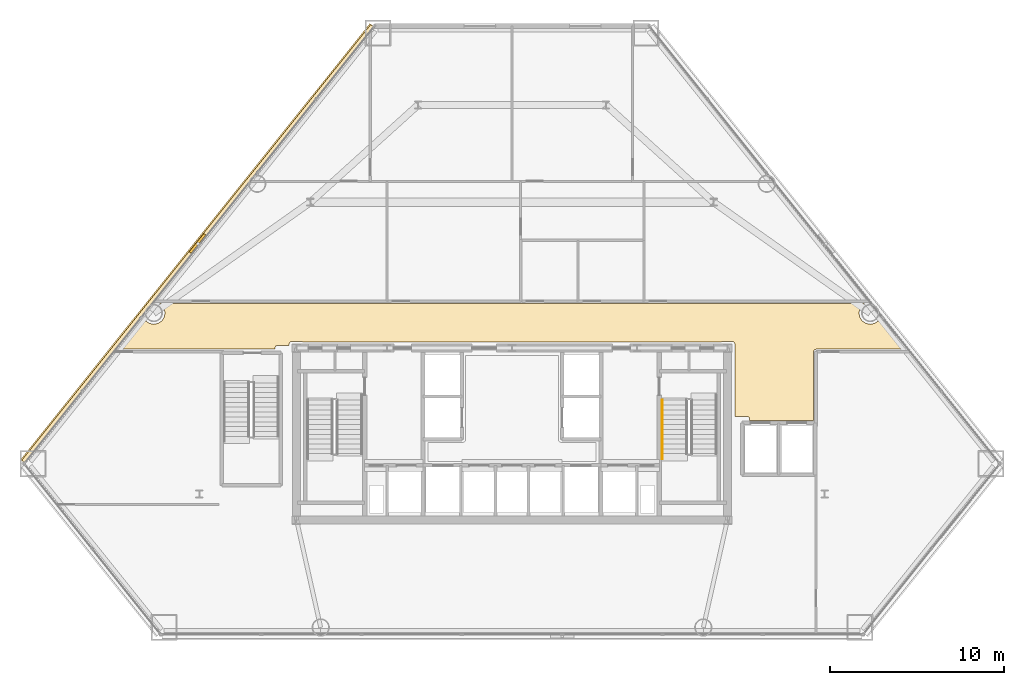
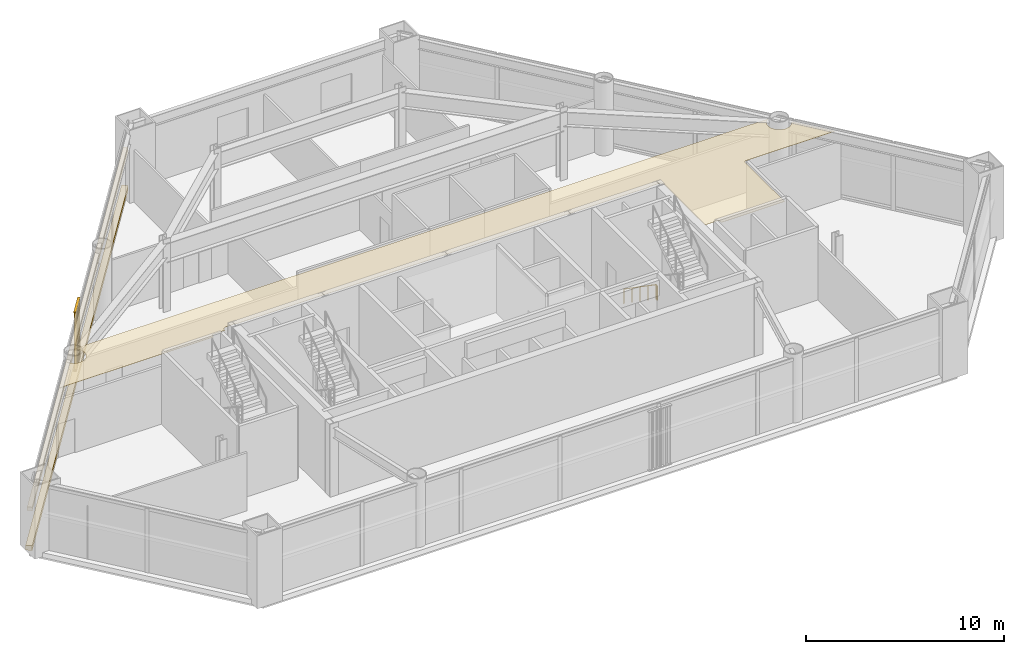
# One storey, part 12 of 13: 3 coverings, 1 railing, 1 shading device.
"""IFC4 building model written with IfcOpenShell, lengths in metres."""

from ifc_helpers import new_model, si_unit, direction, frame, origin, origin_2d, place, context, subcontext, project, spatial, polyline, rectangle, outline, extrude, source, transform, mapped, material, layer, layer_set, type_object, type_shapes, element, save


model = new_model("IFC4")

# Units and contexts
model_context = context("Model", 3, precision=1e-05, world=origin(), true_north=direction((0.0, 1.0)))
body_context = subcontext(model_context, "Body", "Model", "MODEL_VIEW")
ifc_project = project(units=[si_unit("LENGTHUNIT", "METRE"), si_unit("AREAUNIT", "SQUARE_METRE"), si_unit("VOLUMEUNIT", "CUBIC_METRE"), si_unit("PLANEANGLEUNIT", "RADIAN"), si_unit("MASSUNIT", "GRAM", prefix="KILO")], contexts=[model_context])

# Site, building, storey
site_placement = place(None, origin())
site = spatial("IfcSite", under=ifc_project, at=site_placement, CompositionType="ELEMENT")
building_placement = place(site_placement, origin())
building = spatial("IfcBuilding", under=site, at=building_placement, Name="Talgorran Terracotta Tower", CompositionType="ELEMENT")
storey_placement = place(building_placement, frame((0.0, 0.0, 9.89990234375)))
storey = spatial("IfcBuildingStorey", under=building, at=storey_placement, Name="L02", CompositionType="ELEMENT", Elevation=9.89990234375)

# Coverings
ifc_material_1 = material(Name="Kiln-Fired Terracotta Ochre Ceramic", Category="masonry")
ifc_layer_1 = layer(ifc_material_1, 0.179931640625, Name="COV_BAGUETTE_TERRACOTTA_SCREEN")
ifc_layer_set_1 = layer_set([ifc_layer_1], Name="Kiln-Fired Terracotta Ochre Ceramic")
covering_type_1 = type_object("IfcCoveringType", Name="COV_BAGUETTE_TERRACOTTA_SCREEN", PredefinedType="CLADDING", material=ifc_layer_set_1)
covering_1_placement = place(storey_placement, frame((-18.072509765625, 1.802490234375, 2.41015625), z_axis=(0.0, 0.0, 1.0), x_axis=(-0.625120058901, -0.780528610597, 0.0)))
element("IfcCovering", 1, at=covering_1_placement, inside=storey, type_object=covering_type_1, Name="L02 Terracotta Baguette Solar Screen Assembly F5", PredefinedType="CLADDING", context=body_context, shape_type="SweptSolid", body=[
    extrude(rectangle(XDim=32.135498046875, YDim=0.260009765625, at=origin_2d()), origin(), (0.0, 0.0, 1.0), 0.219970703125),
])
ifc_material_2 = material(Name="Mineral Fibre Acoustic Tile")
ifc_layer_2 = layer(ifc_material_2, 0.02490234375, Name="COV_CEIL_ACOUSTIC")
ifc_layer_set_2 = layer_set([ifc_layer_2], Name="Mineral Fibre Acoustic Tile")
covering_type_2 = type_object("IfcCoveringType", Name="COV_CEIL_ACOUSTIC", PredefinedType="CEILING", material=ifc_layer_set_2)
covering_2_placement = place(storey_placement, frame((0.0, 0.0, 4.130126953125)))
element("IfcCovering", 2, at=covering_2_placement, inside=storey, type_object=covering_type_2, Name="CEIL-L02-2", PredefinedType="CEILING", context=body_context, shape_type="SweptSolid", body=[
    extrude(outline(polyline([(-21.211669921875, -2.4453125), (-21.209716796875, -2.4482421875), (-21.094970703125, -2.620361328125), (-21.087890625, -2.629638671875), (-21.080078125, -2.638427734375), (-21.0712890625, -2.646484375), (-21.061767578125, -2.6533203125), (-20.889892578125, -2.768310546875), (-20.879638671875, -2.7744140625), (-20.868896484375, -2.779296875), (-20.85791015625, -2.783203125), (-20.846435546875, -2.7861328125), (-20.643798828125, -2.826416015625), (-20.632080078125, -2.828125), (-20.620361328125, -2.828857421875), (-20.6083984375, -2.828125), (-20.596923828125, -2.826416015625), (-20.39404296875, -2.7861328125), (-20.3828125, -2.783203125), (-20.37158203125, -2.779296875), (-20.36083984375, -2.7744140625), (-20.350830078125, -2.768310546875), (-20.1787109375, -2.6533203125), (-20.16943359375, -2.646484375), (-20.16064453125, -2.638427734375), (-20.152587890625, -2.629638671875), (-20.145751953125, -2.620361328125), (-20.03076171875, -2.4482421875), (-20.02490234375, -2.438232421875), (-20.019775390625, -2.427490234375), (-20.015869140625, -2.41650390625), (-20.012939453125, -2.405029296875), (-19.97265625, -2.2021484375), (-19.970947265625, -2.190673828125), (-19.97021484375, -2.1787109375), (-19.970947265625, -2.1669921875), (-19.97265625, -2.155517578125), (-20.012939453125, -1.95263671875), (-20.015869140625, -1.941162109375), (-20.019775390625, -1.93017578125), (-20.02490234375, -1.91943359375), (-20.03076171875, -1.9091796875), (-20.145751953125, -1.7373046875), (-20.152587890625, -1.727783203125), (-20.16064453125, -1.718994140625), (-20.16943359375, -1.711181640625), (-20.1787109375, -1.7041015625), (-20.282470703125, -1.635009765625), (20.282470703125, -1.635009765625), (20.1787109375, -1.7041015625), (20.16943359375, -1.711181640625), (20.16064453125, -1.718994140625), (20.152587890625, -1.727783203125), (20.145751953125, -1.7373046875), (20.03076171875, -1.9091796875), (20.02490234375, -1.91943359375), (20.019775390625, -1.93017578125), (20.015869140625, -1.941162109375), (20.012939453125, -1.95263671875), (19.97265625, -2.155517578125), (19.970947265625, -2.1669921875), (19.97021484375, -2.1787109375), (19.970947265625, -2.190673828125), (19.97265625, -2.2021484375), (20.012939453125, -2.405029296875), (20.015869140625, -2.41650390625), (20.019775390625, -2.427490234375), (20.02490234375, -2.438232421875), (20.03076171875, -2.4482421875), (20.145751953125, -2.620361328125), (20.152587890625, -2.629638671875), (20.16064453125, -2.638427734375), (20.16943359375, -2.646484375), (20.1787109375, -2.6533203125), (20.350830078125, -2.768310546875), (20.36083984375, -2.7744140625), (20.37158203125, -2.779296875), (20.3828125, -2.783203125), (20.39404296875, -2.7861328125), (20.596923828125, -2.826416015625), (20.6083984375, -2.828125), (20.620361328125, -2.828857421875), (20.632080078125, -2.828125), (20.643798828125, -2.826416015625), (20.846435546875, -2.7861328125), (20.85791015625, -2.783203125), (20.868896484375, -2.779296875), (20.879638671875, -2.7744140625), (20.889892578125, -2.768310546875), (21.061767578125, -2.6533203125), (21.0712890625, -2.646484375), (21.080078125, -2.638427734375), (21.087890625, -2.629638671875), (21.094970703125, -2.620361328125), (21.209716796875, -2.4482421875), (21.2109375, -2.4462890625), (22.6689453125, -4.264892578125), (17.5, -4.264892578125), (17.48828125, -4.265625), (17.476806640625, -4.267333984375), (17.46533203125, -4.27001953125), (17.45703125, -4.272705078125), (17.446044921875, -4.276611328125), (17.435302734375, -4.281494140625), (17.42529296875, -4.28759765625), (17.415771484375, -4.294677734375), (17.406982421875, -4.302490234375), (17.399169921875, -4.311279296875), (17.3935546875, -4.318115234375), (17.386474609375, -4.327392578125), (17.38037109375, -4.337646484375), (17.375244140625, -4.348388671875), (17.371337890625, -4.359375), (17.368408203125, -4.370849609375), (17.36669921875, -4.382568359375), (17.3662109375, -4.394287109375), (17.364990234375, -8.364990234375), (13.684814453125, -8.364990234375), (13.684814453125, -8.2783203125), (13.684326171875, -8.2666015625), (13.6826171875, -8.255126953125), (13.6796875, -8.243896484375), (13.67578125, -8.232666015625), (13.672607421875, -8.224609375), (13.66748046875, -8.214111328125), (13.66162109375, -8.2041015625), (13.65478515625, -8.19482421875), (13.64697265625, -8.186279296875), (13.638427734375, -8.17822265625), (13.629150390625, -8.17138671875), (13.621826171875, -8.16650390625), (13.61181640625, -8.16015625), (13.60107421875, -8.155029296875), (13.58984375, -8.15087890625), (13.578125, -8.14794921875), (13.56640625, -8.146240234375), (13.554443359375, -8.1455078125), (12.8349609375, -8.14501953125), (12.8349609375, -3.97998046875), (12.83447265625, -3.96826171875), (12.832763671875, -3.956787109375), (12.829833984375, -3.9453125), (12.827392578125, -3.93701171875), (12.823486328125, -3.926025390625), (12.818359375, -3.915283203125), (12.8125, -3.9052734375), (12.805419921875, -3.895751953125), (12.797607421875, -3.886962890625), (12.7890625, -3.87939453125), (12.785888671875, -3.872314453125), (12.77978515625, -3.8623046875), (12.772705078125, -3.852783203125), (12.764892578125, -3.843994140625), (12.756103515625, -3.836181640625), (12.74658203125, -3.8291015625), (12.736572265625, -3.8232421875), (12.725830078125, -3.818115234375), (12.71484375, -3.814208984375), (12.703369140625, -3.811279296875), (12.69189453125, -3.8095703125), (12.679931640625, -3.80908203125), (12.1201171875, -3.80908203125), (12.108154296875, -3.8095703125), (12.0966796875, -3.811279296875), (12.085205078125, -3.814208984375), (12.07421875, -3.818115234375), (12.0634765625, -3.8232421875), (12.05322265625, -3.8291015625), (12.0439453125, -3.836181640625), (12.03515625, -3.843994140625), (12.034423828125, -3.844970703125), (7.432861328125, -3.844970703125), (6.968017578125, -3.843017578125), (6.967529296875, -3.843017578125), (0.232666015625, -3.844970703125), (-0.23193359375, -3.843017578125), (-0.232421875, -3.843017578125), (-6.96728515625, -3.844970703125), (-7.431884765625, -3.843017578125), (-7.4326171875, -3.843017578125), (-12.034423828125, -3.844970703125), (-12.03515625, -3.843994140625), (-12.0439453125, -3.836181640625), (-12.05322265625, -3.8291015625), (-12.0634765625, -3.8232421875), (-12.07421875, -3.818115234375), (-12.085205078125, -3.814208984375), (-12.0966796875, -3.811279296875), (-12.108154296875, -3.8095703125), (-12.1201171875, -3.80908203125), (-12.679931640625, -3.80908203125), (-12.69189453125, -3.8095703125), (-12.703369140625, -3.811279296875), (-12.71484375, -3.814208984375), (-12.725830078125, -3.818115234375), (-12.736572265625, -3.8232421875), (-12.74658203125, -3.8291015625), (-12.756103515625, -3.836181640625), (-12.764892578125, -3.843994140625), (-12.772705078125, -3.852783203125), (-12.77978515625, -3.8623046875), (-12.785888671875, -3.872314453125), (-12.788818359375, -3.878662109375), (-12.79296875, -3.882568359375), (-12.80078125, -3.89111328125), (-12.806396484375, -3.89794921875), (-12.8134765625, -3.907470703125), (-12.819580078125, -3.91748046875), (-12.82470703125, -3.927978515625), (-12.82861328125, -3.93896484375), (-12.83154296875, -3.9501953125), (-12.833251953125, -3.9619140625), (-12.833984375, -3.9736328125), (-12.834228515625, -4.044921875), (-13.5, -4.044921875), (-13.51171875, -4.045654296875), (-13.523193359375, -4.04736328125), (-13.53466796875, -4.050048828125), (-13.54296875, -4.052490234375), (-13.553955078125, -4.056396484375), (-13.564697265625, -4.0615234375), (-13.57470703125, -4.067626953125), (-13.584228515625, -4.07470703125), (-13.593017578125, -4.08251953125), (-13.600830078125, -4.09130859375), (-13.6064453125, -4.097900390625), (-13.613525390625, -4.107421875), (-13.61962890625, -4.117431640625), (-13.62451171875, -4.1279296875), (-13.628662109375, -4.138916015625), (-13.631591796875, -4.150390625), (-13.63330078125, -4.162109375), (-13.6337890625, -4.173583984375), (-13.634521484375, -4.264892578125), (-22.669189453125, -4.264892578125), (-21.211669921875, -2.4453125)])), origin(), (0.0, 0.0, 1.0), 0.02001953125),
])
ifc_material_3 = material(Name="Honed Limestone Cladding", Category="masonry")
ifc_layer_3 = layer(ifc_material_3, 0.094970703125, Name="COV_PORTAL_LIME")
ifc_layer_set_3 = layer_set([ifc_layer_3], Name="Honed Limestone Cladding")
covering_type_3 = type_object("IfcCoveringType", Name="COV_PORTAL_LIME", PredefinedType="CLADDING", material=ifc_layer_set_3)
covering_3_placement = place(storey_placement, frame((-18.103515625, 1.827392578125, -0.0400390625), z_axis=(0.0, 0.0, 1.0), x_axis=(-0.625120058901, -0.780528610597, 0.0)))
element("IfcCovering", 3, at=covering_3_placement, inside=storey, type_object=covering_type_3, Name="L02 Striped Postmodern Portal Cladding Band F5", PredefinedType="CLADDING", context=body_context, shape_type="SweptSolid", body=[
    extrude(rectangle(XDim=32.155517578125, YDim=0.340087890625, at=origin_2d()), origin(), (0.0, 0.0, 1.0), 0.300048828125),
])

# Railing
ifc_material_4 = material(Name="Steel S355 (300PLUS)", Category="steel")
railing_type = type_object("IfcRailingType", Name="RL_HANDRAIL_920", PredefinedType="HANDRAIL", material=ifc_material_4)
railing_placement = place(storey_placement, frame((8.64990234375, -7.199951171875, 0.1875)))
element("IfcRailing", 4, at=railing_placement, inside=storey, type_object=railing_type, Name="L02 ST-02 stair handrail 1", PredefinedType="HANDRAIL", context=body_context, shape_type="SweptSolid", body=[
    extrude(rectangle(XDim=0.048095703125, YDim=0.048095703125, at=origin_2d()), frame((0.0, 0.0, 0.89599609375), z_axis=(0.0, -0.82301009837, 0.568026740551), x_axis=(1.0, 0.0, 0.0)), (0.0, 0.0, 1.0), 3.961181640625),
    extrude(rectangle(XDim=0.048095703125, YDim=0.048095703125, at=origin_2d()), frame((0.0, -3.260009765625, 3.14599609375), z_axis=(0.0, -1.0, 0.0), x_axis=(1.0, 0.0, 0.0)), (0.0, 0.0, 1.0), 0.1201171875),
    extrude(rectangle(XDim=0.0419921875, YDim=0.0419921875, at=origin_2d()), origin(), (0.0, 0.0, 1.0), 0.871826171875),
    extrude(rectangle(XDim=0.0419921875, YDim=0.0419921875, at=origin_2d()), frame((0.0, -0.81494140625, 0.5625)), (0.0, 0.0, 1.0), 0.871826171875),
    extrude(rectangle(XDim=0.0419921875, YDim=0.0419921875, at=origin_2d()), frame((0.0, -1.6298828125, 1.125)), (0.0, 0.0, 1.0), 0.871826171875),
    extrude(rectangle(XDim=0.0419921875, YDim=0.0419921875, at=origin_2d()), frame((0.0, -2.445068359375, 1.6875)), (0.0, 0.0, 1.0), 0.871826171875),
    extrude(rectangle(XDim=0.0419921875, YDim=0.0419921875, at=origin_2d()), frame((0.0, -3.260009765625, 2.25)), (0.0, 0.0, 1.0), 0.871826171875),
    extrude(rectangle(XDim=0.0419921875, YDim=0.0419921875, at=origin_2d()), frame((0.0, -3.380126953125, 2.25)), (0.0, 0.0, 1.0), 0.871826171875),
])

# Shading device
ifc_material_5 = material(Name="Kiln-Fired Terracotta", Category="masonry")
ifc_layer_4 = layer(ifc_material_5, 0.139892578125, Name="SHD_BAGUETTE_TERRA")
ifc_layer_set_4 = layer_set([ifc_layer_4], Name="Kiln-Fired Terracotta")
shading_device_type = type_object("IfcShadingDeviceType", Name="SHD_BAGUETTE_TERRA", PredefinedType="JALOUSIE", material=ifc_layer_set_4)
shared_shape = source(origin(), body_context, "Body", "SweptSolid", [
    extrude(rectangle(XDim=1.35009765625, YDim=0.139892578125, at=origin_2d()), origin(), (0.0, 0.0, 1.0), 0.054931640625),
    extrude(rectangle(XDim=1.35009765625, YDim=0.139892578125, at=origin_2d()), frame((0.0, 0.0, 3.614990234375)), (0.0, 0.0, 1.0), 0.054931640625),
    extrude(rectangle(XDim=0.074951171875, YDim=0.139892578125, at=origin_2d()), frame((-0.53515625, 0.0, 0.054931640625), z_axis=(0.0, 0.0, 1.0), x_axis=(0.866025403784, 0.5, 0.0)), (0.0, 0.0, 1.0), 3.56005859375),
    extrude(rectangle(XDim=0.074951171875, YDim=0.139892578125, at=origin_2d()), frame((-0.267578125, 0.0, 0.054931640625), z_axis=(0.0, 0.0, 1.0), x_axis=(0.866025403784, 0.5, 0.0)), (0.0, 0.0, 1.0), 3.56005859375),
    extrude(rectangle(XDim=0.074951171875, YDim=0.139892578125, at=origin_2d()), frame((0.0, 0.0, 0.054931640625), z_axis=(0.0, 0.0, 1.0), x_axis=(0.866025403784, 0.5, 0.0)), (0.0, 0.0, 1.0), 3.56005859375),
    extrude(rectangle(XDim=0.074951171875, YDim=0.139892578125, at=origin_2d()), frame((0.267578125, 0.0, 0.054931640625), z_axis=(0.0, 0.0, 1.0), x_axis=(0.866025403784, 0.5, 0.0)), (0.0, 0.0, 1.0), 3.56005859375),
    extrude(rectangle(XDim=0.074951171875, YDim=0.139892578125, at=origin_2d()), frame((0.53515625, 0.0, 0.054931640625), z_axis=(0.0, 0.0, 1.0), x_axis=(0.866025403784, 0.5, 0.0)), (0.0, 0.0, 1.0), 3.56005859375),
])
type_shapes(shading_device_type, [shared_shape])
shading_device_placement = place(storey_placement, frame((-18.103515625, 1.827392578125, 0.35009765625), z_axis=(0.0, 0.0, 1.0), x_axis=(-0.625120058901, -0.780528610597, 0.0)))
element("IfcShadingDevice", 5, at=shading_device_placement, inside=storey, type_object=shading_device_type, Name="BAG-L02-F5", PredefinedType="JALOUSIE", context=body_context, shape_type="MappedRepresentation", body=[
    mapped(shared_shape, transform((0.0, 0.0, 0.0), scale=1.0)),
])

save(model, "model.ifc")
